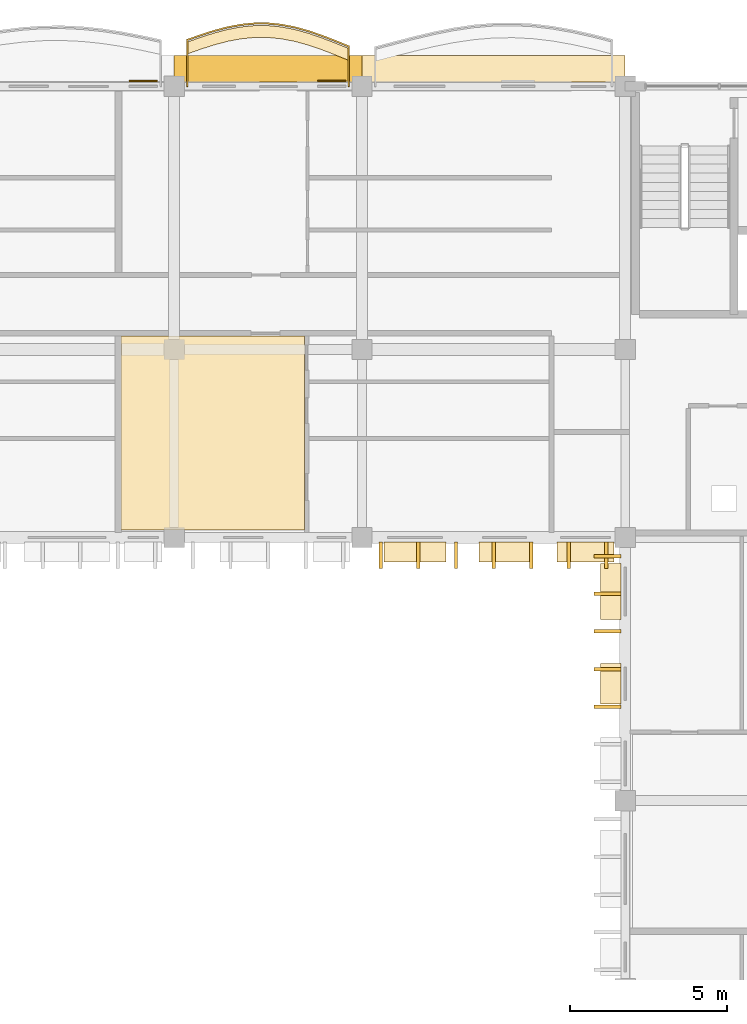
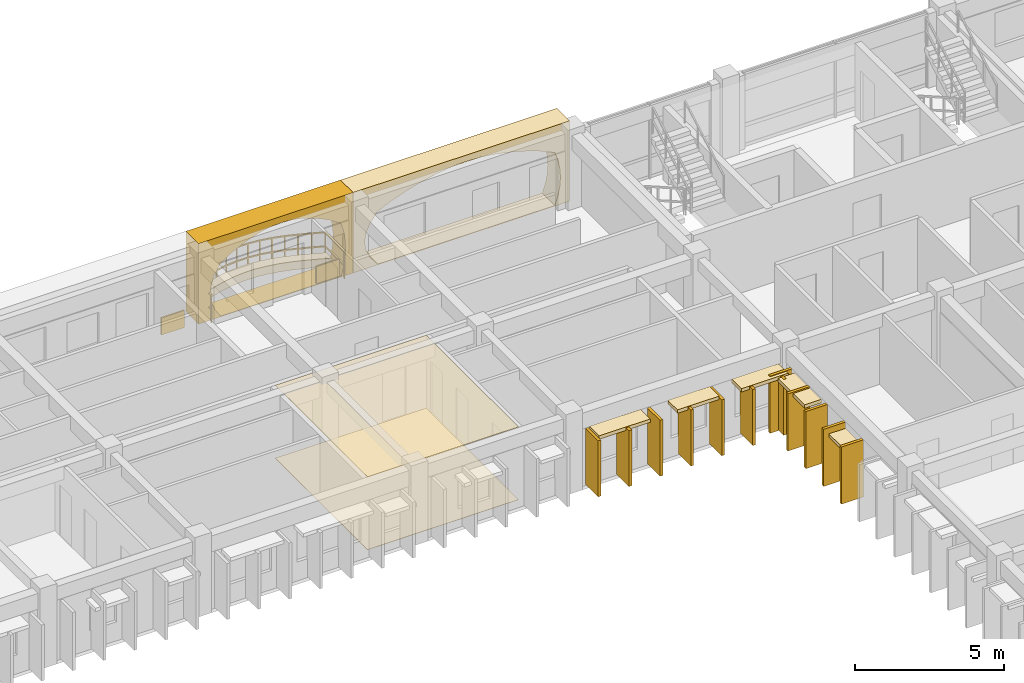
# One storey, part 63 of 66: 24 coverings, 1 railing.
"""IFC4 building model written with IfcOpenShell, lengths in metres."""

import ifcopenshell
import ifcopenshell.guid

model = None  # the IFC model being written
_history = None  # IfcOwnerHistory: only IFC2X3 demands one
_inside = {}  # id of a spatial element -> (the spatial element, [elements in it])
_under = {}  # id of a project, library or spatial element -> (it, [spatial elements below it])
_declared = {}  # id of a project -> (the project, [libraries it declares])
_typed = {}  # id of a type object -> (the type object, [elements of that type])
_made_of = {}  # id of a material, layer set ... -> (it, [elements and type objects made of it])


def new_model(schema):
    """Start an empty IFC model of exactly this schema.

    Asked for "IFC4X3", IfcOpenShell would pick the latest addendum, in which some entities
    have other attributes; the version numbers below select the first issue.
    IFC2X3 requires an IfcOwnerHistory on every rooted entity: one is made here for all.
    """
    global model, _history
    if schema == "IFC4X3":
        model = ifcopenshell.file(schema_version=(4, 3, 0, 0))
    else:
        model = ifcopenshell.file(schema=schema)
    _inside.clear()
    _under.clear()
    _declared.clear()
    _typed.clear()
    _made_of.clear()
    _history = None
    if model.schema == "IFC2X3":
        org = make("IfcOrganization", Name="unknown")
        user = make(
            "IfcPersonAndOrganization",
            ThePerson=make("IfcPerson", FamilyName="unknown"),
            TheOrganization=org,
        )
        app = make(
            "IfcApplication",
            ApplicationDeveloper=org,
            Version="unknown",
            ApplicationFullName="unknown",
            ApplicationIdentifier="unknown",
        )
        _history = make(
            "IfcOwnerHistory",
            OwningUser=user,
            OwningApplication=app,
            ChangeAction="ADDED",
            CreationDate=0,
        )
    return model


def make(cls, **values):
    """One entity of the class cls with the attributes given. An attribute that is None is left unset."""
    return model.create_entity(
        cls, **{name: value for name, value in values.items() if value is not None}
    )


def rooted(cls, **values):
    """An entity with a GlobalId (a new one), such as an element, a storey or a relation."""
    return make(cls, GlobalId=ifcopenshell.guid.new(), OwnerHistory=_history, **values)


def si_unit(unit_type, name, prefix=None):
    """IfcSIUnit, for example si_unit("LENGTHUNIT", "METRE", prefix="MILLI")."""
    return make("IfcSIUnit", UnitType=unit_type, Prefix=prefix, Name=name)


def assignment(units):
    """IfcUnitAssignment: the units of a project."""
    return None if units is None else make("IfcUnitAssignment", Units=units)


def point(xyz):
    """IfcCartesianPoint."""
    return None if xyz is None else make("IfcCartesianPoint", Coordinates=xyz)


def direction(xyz):
    """IfcDirection."""
    return None if xyz is None else make("IfcDirection", DirectionRatios=xyz)


def frame(location, z_axis=None, x_axis=None):
    """IfcAxis2Placement3D, a coordinate frame: its origin and axes. An axis left out is left unset."""
    return make(
        "IfcAxis2Placement3D",
        Location=point(location),
        Axis=direction(z_axis),
        RefDirection=direction(x_axis),
    )


def frame_2d(location, x_axis=None):
    """IfcAxis2Placement2D, a coordinate frame in the plane: its origin and x axis."""
    return make(
        "IfcAxis2Placement2D", Location=point(location), RefDirection=direction(x_axis)
    )


def origin():
    """The frame at (0, 0, 0) with its axes left unset."""
    return frame((0.0, 0.0, 0.0))


def origin_2d():
    """The frame at (0, 0) in the plane with its x axis left unset."""
    return frame_2d((0.0, 0.0))


def place(relative_to, where):
    """IfcLocalPlacement: puts the frame where relative to a parent placement (None: the world)."""
    return make(
        "IfcLocalPlacement", PlacementRelTo=relative_to, RelativePlacement=where
    )


def context(
    kind, dimensions, precision=None, world=None, true_north=None, identifier=None
):
    """IfcGeometricRepresentationContext, for example the 3D "Model" context."""
    return make(
        "IfcGeometricRepresentationContext",
        ContextIdentifier=identifier,
        ContextType=kind,
        CoordinateSpaceDimension=dimensions,
        Precision=precision,
        WorldCoordinateSystem=world,
        TrueNorth=true_north,
    )


def subcontext(parent, identifier, kind, view, scale=None):
    """IfcGeometricRepresentationSubContext, for example "Body" below "Model"."""
    return make(
        "IfcGeometricRepresentationSubContext",
        ContextIdentifier=identifier,
        ContextType=kind,
        ParentContext=parent,
        TargetScale=scale,
        TargetView=view,
    )


def project(units=None, contexts=None):
    """IfcProject with its units and contexts."""
    return rooted(
        "IfcProject",
        Name="project",
        RepresentationContexts=contexts,
        UnitsInContext=assignment(units),
    )


def spatial(cls, under=None, at=None, **own):
    """A site, building, storey or space (cls), placed at a placement, below another one or the project."""
    s = rooted(cls, ObjectPlacement=at, **own)
    if under is not None:
        _under.setdefault(under.id(), (under, []))[1].append(s)
    return s


def polyline(points):
    """IfcPolyline through the points."""
    return make("IfcPolyline", Points=[point(p) for p in points])


def profile(cls, at=None, kind="AREA", **sizes):
    """A parametric profile (cls). Its sizes go by their IFC names, for example OverallWidth=200.0."""
    return make(cls, ProfileType=kind, Position=at, **sizes)


def rectangle(**sizes):
    """IfcRectangleProfileDef."""
    return profile("IfcRectangleProfileDef", **sizes)


def outline(outer, holes=None, kind="AREA"):
    """IfcArbitraryClosedProfileDef: a profile drawn as a closed curve; with holes, ...WithVoids."""
    if holes is None:
        return make("IfcArbitraryClosedProfileDef", ProfileType=kind, OuterCurve=outer)
    return make(
        "IfcArbitraryProfileDefWithVoids",
        ProfileType=kind,
        OuterCurve=outer,
        InnerCurves=holes,
    )


def extrude(swept, where, along, depth):
    """IfcExtrudedAreaSolid: the profile swept, set in the frame where, extruded along a direction by depth."""
    return make(
        "IfcExtrudedAreaSolid",
        SweptArea=swept,
        Position=where,
        ExtrudedDirection=direction(along),
        Depth=depth,
    )


def shape(context_of_items, identifier, shape_type, items):
    """IfcShapeRepresentation: the items that make up one representation, for example the "Body"."""
    return make(
        "IfcShapeRepresentation",
        ContextOfItems=context_of_items,
        RepresentationIdentifier=identifier,
        RepresentationType=shape_type,
        Items=items,
    )


def material(Name=None, Category=None):
    """IfcMaterial."""
    return make("IfcMaterial", Name=Name, Category=Category)


def layer(
    of_material, thickness, ventilated=None, Name=None, Category=None, Priority=None
):
    """IfcMaterialLayer: one layer of a wall or slab, of a material (None: an air gap)."""
    return make(
        "IfcMaterialLayer",
        Material=of_material,
        LayerThickness=thickness,
        IsVentilated=ventilated,
        Name=Name,
        Category=Category,
        Priority=Priority,
    )


def layer_set(layers, Name=None):
    """IfcMaterialLayerSet."""
    return make("IfcMaterialLayerSet", MaterialLayers=layers, LayerSetName=Name)


def made_of(thing, what):
    """Note that an element or type object is made of a material, layer set ...; save() writes the relation."""
    if what is not None:
        _made_of.setdefault(what.id(), (what, []))[1].append(thing)
    return thing


def type_object(cls, material=None, **own):
    """A type object (cls), such as IfcWallType, which elements share."""
    return made_of(rooted(cls, **own), material)


def element(
    cls,
    number,
    at=None,
    inside=None,
    cuts=None,
    type_object=None,
    material=None,
    context=None,
    identifier="Body",
    shape_type=None,
    held_by="IfcProductDefinitionShape",
    body=None,
    shapes=None,
    **own,
):
    """One element of the class cls, such as IfcWall. Its Tag is "e" and its number.

    at: its placement. inside: the storey or other place that contains it. cuts: it is an
    opening in that element (IfcRelVoidsElement). A single representation is given by context,
    identifier, shape_type and body (its items); several are given by shapes. held_by: the class
    of the entity that holds the representations. save() writes the other relations.
    """
    e = rooted(cls, Tag="e%d" % number, ObjectPlacement=at, **own)
    if body is not None:
        shapes = [shape(context, identifier, shape_type, body)]
    if shapes is not None:
        e.Representation = make(held_by, Representations=shapes)
    if inside is not None:
        _inside.setdefault(inside.id(), (inside, []))[1].append(e)
    if cuts is not None:
        rooted(
            "IfcRelVoidsElement", RelatingBuildingElement=cuts, RelatedOpeningElement=e
        )
    if type_object is not None:
        _typed.setdefault(type_object.id(), (type_object, []))[1].append(e)
    return made_of(e, material)


def aggregate(whole, parts):
    """IfcRelAggregates: a whole, such as a stair, and the parts it consists of."""
    return rooted("IfcRelAggregates", RelatingObject=whole, RelatedObjects=parts)


def save(model, path):
    """Write the relations noted so far, then the file.

    IfcRelAggregates (storeys below a building ...), IfcRelContainedInSpatialStructure (elements
    in a storey), IfcRelDefinesByType, IfcRelAssociatesMaterial and IfcRelDeclares: one each for
    every whole, place, type object, material and project.
    """
    for whole, parts in _under.values():
        aggregate(whole, parts)
    for where, things in _inside.values():
        rooted(
            "IfcRelContainedInSpatialStructure",
            RelatedElements=things,
            RelatingStructure=where,
        )
    for kind, things in _typed.values():
        rooted("IfcRelDefinesByType", RelatedObjects=things, RelatingType=kind)
    for what, things in _made_of.values():
        rooted("IfcRelAssociatesMaterial", RelatedObjects=things, RelatingMaterial=what)
    for by, libraries in _declared.values():
        rooted("IfcRelDeclares", RelatingContext=by, RelatedDefinitions=libraries)
    model.write(path)


model = new_model("IFC4")

# Units and contexts
model_context = context("Model", 3, precision=1e-05, world=origin(), true_north=direction((0.0, 1.0)))
body_context = subcontext(model_context, "Body", "Model", "MODEL_VIEW")
ifc_project = project(units=[si_unit("LENGTHUNIT", "METRE"), si_unit("AREAUNIT", "SQUARE_METRE"), si_unit("VOLUMEUNIT", "CUBIC_METRE"), si_unit("PLANEANGLEUNIT", "RADIAN"), si_unit("MASSUNIT", "GRAM", prefix="KILO"), si_unit("THERMODYNAMICTEMPERATUREUNIT", "KELVIN")], contexts=[model_context])

# Site, building, storey
site_placement = place(None, origin())
site = spatial("IfcSite", under=ifc_project, at=site_placement, CompositionType="ELEMENT")
building_placement = place(site_placement, origin())
building = spatial("IfcBuilding", under=site, at=building_placement, Name="Thalorik Housing Commons", CompositionType="ELEMENT")
storey_placement = place(building_placement, frame((0.0, 0.0, 21.300048828125)))
storey = spatial("IfcBuildingStorey", under=building, at=storey_placement, Name="L06", CompositionType="ELEMENT", Elevation=21.300048828125)

# Coverings
ifc_material_1 = material(Name="Cobalt blue glazed ceramic facade tile panel", Category="masonry")
ifc_layer_1 = layer(ifc_material_1, 0.06005859375, Name="Cobalt blue glazed ceramic facade tile panel", Category="masonry")
ifc_layer_set_1 = layer_set([ifc_layer_1], Name="Cobalt blue glazed ceramic facade tile panel")
covering_type_1 = type_object("IfcCoveringType", Name="ARC-CLD-BLU-60", PredefinedType="CLADDING", material=ifc_layer_set_1)
covering_1_placement = place(storey_placement, frame((137.014892578125, 123.7724609375, 0.0498046875), z_axis=(0.0, 0.0, 1.0), x_axis=(-1.0, 0.0, 0.0)))
element("IfcCovering", 1, at=covering_1_placement, inside=storey, type_object=covering_type_1, Name="L06 De Stijl Recessed Window Spandrel 2373", PredefinedType="CLADDING", context=body_context, shape_type="SweptSolid", body=[
    extrude(rectangle(XDim=0.89990234375, YDim=0.06005859375, at=origin_2d()), origin(), (0.0, 0.0, 1.0), 0.699951171875),
])
ifc_material_2 = material(Name="Precast concrete C40/50", Category="concrete")
ifc_layer_2 = layer(ifc_material_2, 0.85009765625, Name="Precast concrete C40/50", Category="concrete")
ifc_layer_set_2 = layer_set([ifc_layer_2], Name="Precast concrete C40/50")
covering_type_2 = type_object("IfcCoveringType", Name="ARC-CLD-CUSH-850", PredefinedType="CLADDING", material=ifc_layer_set_2)
covering_2_placement = place(storey_placement, frame((148.199951171875, 124.16259765625, 0.0), z_axis=(0.0, 0.0, 1.0), x_axis=(-1.0, 0.0, 0.0)))
element("IfcCovering", 2, at=covering_2_placement, inside=storey, type_object=covering_type_2, Name="L06 White Precast Curved Cushion Bay Frame 2368", PredefinedType="CLADDING", context=body_context, shape_type="SweptSolid", body=[
    extrude(outline(polyline([(-4.199951171875, 0.0), (4.199951171875, 0.0), (4.199951171875, 3.300048828125), (-4.199951171875, 3.300048828125), (-4.199951171875, 0.0)]), holes=[polyline([(3.239990234375, 0.02490234375), (3.523193359375, 0.387451171875), (3.693359375, 0.75), (3.75, 1.112548828125), (3.693359375, 1.47509765625), (3.523193359375, 1.83740234375), (3.239990234375, 2.199951171875), (2.66748046875, 2.455810546875), (2.094970703125, 2.656494140625), (1.5224609375, 2.819091796875), (0.949951171875, 2.940185546875), (0.37744140625, 3.014892578125), (-0.195068359375, 3.0400390625), (-0.767578125, 3.014892578125), (-1.340087890625, 2.940185546875), (-1.91259765625, 2.819091796875), (-2.485107421875, 2.656494140625), (-3.0576171875, 2.455810546875), (-3.6298828125, 2.199951171875), (-3.750244140625, 1.83740234375), (-3.822509765625, 1.47509765625), (-3.8466796875, 1.112548828125), (-3.822509765625, 0.75), (-3.750244140625, 0.387451171875), (-3.6298828125, 0.02490234375), (3.239990234375, 0.02490234375)])]), frame((0.0, 0.425048828125, 0.0), z_axis=(0.0, -1.0, 0.0), x_axis=(1.0, 0.0, 0.0)), (0.0, 0.0, 1.0), 0.85009765625),
])
covering_3_placement = place(storey_placement, frame((141.0, 124.16259765625, 0.0), z_axis=(0.0, 0.0, 1.0), x_axis=(-1.0, 0.0, 0.0)))
element("IfcCovering", 3, at=covering_3_placement, inside=storey, type_object=covering_type_2, Name="L06 White Precast Curved Cushion Bay Frame 2370", PredefinedType="CLADDING", context=body_context, shape_type="SweptSolid", body=[
    extrude(outline(polyline([(-3.0, 0.0), (3.0, 0.0), (3.0, 3.300048828125), (-3.0, 3.300048828125), (-3.0, 0.0)]), holes=[polyline([(2.140869140625, 0.02490234375), (2.3681640625, 0.387451171875), (2.50439453125, 0.75), (2.550048828125, 1.112548828125), (2.50439453125, 1.47509765625), (2.3681640625, 1.83740234375), (2.140869140625, 2.199951171875), (1.751220703125, 2.455810546875), (1.361572265625, 2.656494140625), (0.971923828125, 2.819091796875), (0.58251953125, 2.940185546875), (0.19287109375, 3.014892578125), (-0.19677734375, 3.0400390625), (-0.586181640625, 3.014892578125), (-0.975830078125, 2.940185546875), (-1.365478515625, 2.819091796875), (-1.7548828125, 2.656494140625), (-2.14453125, 2.455810546875), (-2.5341796875, 2.199951171875), (-2.632568359375, 1.83740234375), (-2.69140625, 1.47509765625), (-2.711181640625, 1.112548828125), (-2.69140625, 0.75), (-2.632568359375, 0.387451171875), (-2.5341796875, 0.02490234375), (2.140869140625, 0.02490234375)])]), frame((0.0, 0.425048828125, 0.0), z_axis=(0.0, -1.0, 0.0), x_axis=(1.0, 0.0, 0.0)), (0.0, 0.0, 1.0), 0.85009765625),
])
ifc_layer_3 = layer(ifc_material_2, 0.85009765625, Name="Precast concrete C40/50", Category="concrete")
ifc_layer_set_3 = layer_set([ifc_layer_3], Name="Precast concrete C40/50")
covering_type_3 = type_object("IfcCoveringType", Name="ARC-CLD-FIN-850", PredefinedType="CLADDING", material=ifc_layer_set_3)
for number, where, z_axis, x_axis, name in (
    (4, (144.60009765625, 108.637451171875, 0.0400390625), (0.0, 0.0, 1.0), (1.0, 0.0, 0.0), "L06 Courtyard Precast Vertical Brise-Soleil Fin 2478"),
    (5, (145.800048828125, 108.637451171875, 0.0400390625), (0.0, 0.0, 1.0), (1.0, 0.0, 0.0), "L06 Courtyard Precast Vertical Brise-Soleil Fin 2479"),
    (6, (147.0, 108.637451171875, 0.0400390625), (0.0, 0.0, 1.0), (1.0, 0.0, 0.0), "L06 Courtyard Precast Vertical Brise-Soleil Fin 2480"),
    (7, (148.199951171875, 108.637451171875, 0.0400390625), (0.0, 0.0, 1.0), (1.0, 0.0, 0.0), "L06 Courtyard Precast Vertical Brise-Soleil Fin 2481"),
    (8, (149.39990234375, 108.637451171875, 0.0400390625), (0.0, 0.0, 1.0), (1.0, 0.0, 0.0), "L06 Courtyard Precast Vertical Brise-Soleil Fin 2482"),
    (9, (150.60009765625, 108.637451171875, 0.0400390625), (0.0, 0.0, 1.0), (1.0, 0.0, 0.0), "L06 Courtyard Precast Vertical Brise-Soleil Fin 2483"),
    (10, (151.800048828125, 108.637451171875, 0.0400390625), (0.0, 0.0, 1.0), (1.0, 0.0, 0.0), "L06 Courtyard Precast Vertical Brise-Soleil Fin 2484"),
):
    element("IfcCovering", number, at=place(storey_placement, frame(where, z_axis=z_axis, x_axis=x_axis)), inside=storey, type_object=covering_type_3, Name=name, PredefinedType="CLADDING", context=body_context, shape_type="SweptSolid", body=[
        extrude(rectangle(XDim=0.110107421875, YDim=0.85009765625, at=origin_2d()), origin(), (0.0, 0.0, 1.0), 2.294921875),
    ])
for number, where, z_axis, x_axis, name in (
    (11, (151.83740234375, 108.60009765625, 0.0400390625), (0.0, 0.0, 1.0), (0.0, -1.0, 0.0), "L06 Courtyard Precast Vertical Brise-Soleil Fin 2488"),
    (12, (151.83740234375, 107.39990234375, 0.0400390625), (0.0, 0.0, 1.0), (0.0, -1.0, 0.0), "L06 Courtyard Precast Vertical Brise-Soleil Fin 2489"),
    (13, (151.83740234375, 106.199951171875, 0.0400390625), (0.0, 0.0, 1.0), (0.0, -1.0, 0.0), "L06 Courtyard Precast Vertical Brise-Soleil Fin 2490"),
    (14, (151.83740234375, 105.0, 0.0400390625), (0.0, 0.0, 1.0), (0.0, -1.0, 0.0), "L06 Courtyard Precast Vertical Brise-Soleil Fin 2491"),
    (15, (151.83740234375, 103.800048828125, 0.0400390625), (0.0, 0.0, 1.0), (0.0, -1.0, 0.0), "L06 Courtyard Precast Vertical Brise-Soleil Fin 2492"),
):
    element("IfcCovering", number, at=place(storey_placement, frame(where, z_axis=z_axis, x_axis=x_axis)), inside=storey, type_object=covering_type_3, Name=name, PredefinedType="CLADDING", context=body_context, shape_type="SweptSolid", body=[
        extrude(rectangle(XDim=0.110107421875, YDim=0.85009765625, at=origin_2d()), origin(), (0.0, 0.0, 1.0), 2.344970703125),
    ])
ifc_layer_4 = layer(ifc_material_2, 0.64990234375, Name="Precast concrete C40/50", Category="concrete")
ifc_layer_set_4 = layer_set([ifc_layer_4], Name="Precast concrete C40/50")
covering_type_4 = type_object("IfcCoveringType", Name="ARC-CLD-HOOD-650", PredefinedType="CLADDING", material=ifc_layer_set_4)
covering_4_placement = place(storey_placement, frame((145.68994140625, 108.737548828125, 2.22509765625), z_axis=(0.0, 0.0, 1.0), x_axis=(1.0, 0.0, 0.0)))
element("IfcCovering", 16, at=covering_4_placement, inside=storey, type_object=covering_type_4, Name="L06 Courtyard Precast Window Sun-Hood 2485", PredefinedType="CLADDING", context=body_context, shape_type="SweptSolid", body=[
    extrude(rectangle(XDim=1.989990234375, YDim=0.64990234375, at=origin_2d()), origin(), (0.0, 0.0, 1.0), 0.139892578125),
])
covering_5_placement = place(storey_placement, frame((148.550048828125, 108.737548828125, 2.22509765625), z_axis=(0.0, 0.0, 1.0), x_axis=(1.0, 0.0, 0.0)))
element("IfcCovering", 17, at=covering_5_placement, inside=storey, type_object=covering_type_4, Name="L06 Courtyard Precast Window Sun-Hood 2486", PredefinedType="CLADDING", context=body_context, shape_type="SweptSolid", body=[
    extrude(rectangle(XDim=1.6201171875, YDim=0.64990234375, at=origin_2d()), origin(), (0.0, 0.0, 1.0), 0.139892578125),
])
covering_6_placement = place(storey_placement, frame((151.1298828125, 108.737548828125, 2.22509765625), z_axis=(0.0, 0.0, 1.0), x_axis=(1.0, 0.0, 0.0)))
element("IfcCovering", 18, at=covering_6_placement, inside=storey, type_object=covering_type_4, Name="L06 Courtyard Precast Window Sun-Hood 2487", PredefinedType="CLADDING", context=body_context, shape_type="SweptSolid", body=[
    extrude(rectangle(XDim=1.820068359375, YDim=0.64990234375, at=origin_2d()), origin(), (0.0, 0.0, 1.0), 0.139892578125),
])
covering_7_placement = place(storey_placement, frame((151.9375, 107.46875, 2.18994140625), z_axis=(0.0, 0.0, 1.0), x_axis=(0.0, -1.0, 0.0)))
element("IfcCovering", 19, at=covering_7_placement, inside=storey, type_object=covering_type_4, Name="L06 Courtyard Precast Window Sun-Hood 2495", PredefinedType="CLADDING", context=body_context, shape_type="SweptSolid", body=[
    extrude(rectangle(XDim=1.7900390625, YDim=0.64990234375, at=origin_2d()), origin(), (0.0, 0.0, 1.0), 0.139892578125),
])
covering_8_placement = place(storey_placement, frame((151.9375, 104.5263671875, 1.990234375), z_axis=(0.0, 0.0, 1.0), x_axis=(0.0, -1.0, 0.0)))
element("IfcCovering", 20, at=covering_8_placement, inside=storey, type_object=covering_type_4, Name="L06 Courtyard Precast Window Sun-Hood 2496", PredefinedType="CLADDING", context=body_context, shape_type="SweptSolid", body=[
    extrude(rectangle(XDim=1.2900390625, YDim=0.64990234375, at=origin_2d()), origin(), (0.0, 0.0, 1.0), 0.139892578125),
])
ifc_material_3 = material(Name="Terracotta red mineral fibre-cement panel", Category="masonry")
ifc_layer_5 = layer(ifc_material_3, 0.054931640625, Name="Terracotta red mineral fibre-cement panel", Category="masonry")
ifc_layer_set_5 = layer_set([ifc_layer_5], Name="Terracotta red mineral fibre-cement panel")
covering_type_5 = type_object("IfcCoveringType", Name="ARC-CLD-RED-55", PredefinedType="CLADDING", material=ifc_layer_set_5)
covering_9_placement = place(storey_placement, frame((143.0341796875, 123.77001953125, 0.0498046875), z_axis=(0.0, 0.0, 1.0), x_axis=(-1.0, 0.0, 0.0)))
element("IfcCovering", 21, at=covering_9_placement, inside=storey, type_object=covering_type_5, Name="L06 De Stijl Recessed Window Spandrel 2371", PredefinedType="CLADDING", context=body_context, shape_type="SweptSolid", body=[
    extrude(rectangle(XDim=0.89990234375, YDim=0.054931640625, at=origin_2d()), origin(), (0.0, 0.0, 1.0), 0.699951171875),
])
ifc_material_4 = material(Name="Perforated acoustic gypsum ceiling board")
ifc_layer_6 = layer(ifc_material_4, 0.014892578125, Name="Perforated acoustic gypsum ceiling board")
ifc_layer_set_6 = layer_set([ifc_layer_6], Name="Perforated acoustic gypsum ceiling board")
covering_type_6 = type_object("IfcCoveringType", Name="ARC-COV-CEIL-01", PredefinedType="CEILING", material=ifc_layer_set_6)
covering_10_placement = place(storey_placement, frame((0.0, 0.0, 2.98486328125)))
element("IfcCovering", 22, at=covering_10_placement, inside=storey, type_object=covering_type_6, Name="L06 Living Dining Room Suspended Ceiling", PredefinedType="CEILING", context=body_context, shape_type="SweptSolid", body=[
    extrude(outline(polyline([(142.1650390625, 109.43994140625), (142.1650390625, 115.639892578125), (136.300048828125, 115.639892578125), (136.300048828125, 109.43994140625), (142.1650390625, 109.43994140625)])), origin(), (0.0, 0.0, 1.0), 0.01513671875),
])
ifc_material_5 = material(Name="Glazed Recife ceramic apartment floor tile")
ifc_layer_7 = layer(ifc_material_5, 0.011962890625, Name="Glazed Recife ceramic apartment floor tile")
ifc_layer_set_7 = layer_set([ifc_layer_7], Name="Glazed Recife ceramic apartment floor tile")
covering_type_7 = type_object("IfcCoveringType", Name="ARC-COV-FLR-01", PredefinedType="FLOORING", material=ifc_layer_set_7)
covering_11_placement = place(storey_placement, origin())
element("IfcCovering", 23, at=covering_11_placement, inside=storey, type_object=covering_type_7, Name="L06 Living Dining Room Flooring", PredefinedType="FLOORING", context=body_context, shape_type="SweptSolid", body=[
    extrude(outline(polyline([(142.1650390625, 109.43994140625), (142.1650390625, 115.639892578125), (136.300048828125, 115.639892578125), (136.300048828125, 109.43994140625), (142.1650390625, 109.43994140625)])), origin(), (0.0, 0.0, 1.0), 0.011962890625),
])
ifc_material_6 = material(Name="Planted vegetated substrate and terracotta trough", Category="masonry")
ifc_layer_8 = layer(ifc_material_6, 0.340087890625, Name="Planted vegetated substrate and terracotta trough", Category="masonry")
ifc_layer_set_8 = layer_set([ifc_layer_8], Name="Planted vegetated substrate and terracotta trough")
covering_type_8 = type_object("IfcCoveringType", Name="ARC-COV-PLANTER", PredefinedType="USERDEFINED", material=ifc_layer_set_8)
covering_12_placement = place(storey_placement, origin())
element("IfcCovering", 24, at=covering_12_placement, inside=storey, type_object=covering_type_8, Name="L06 Balcony Slab-Edge Planted Trough 5493", ObjectType="PLANTER", PredefinedType="USERDEFINED", context=body_context, shape_type="SweptSolid", body=[
    extrude(outline(polyline([(143.580078125, 124.80859375), (143.14990234375, 124.98291015625), (142.719970703125, 125.149169921875), (142.2900390625, 125.29638671875), (141.860107421875, 125.41552734375), (141.429931640625, 125.4990234375), (141.0, 125.541748046875), (140.570068359375, 125.541748046875), (140.139892578125, 125.499755859375), (139.7099609375, 125.419189453125), (139.280029296875, 125.305908203125), (138.85009765625, 125.168212890625), (138.419921875, 125.01611328125), (138.419921875, 124.635986328125), (138.85009765625, 124.788330078125), (139.280029296875, 124.92578125), (139.7099609375, 125.0390625), (140.139892578125, 125.119873046875), (140.570068359375, 125.161865234375), (141.0, 125.161865234375), (141.429931640625, 125.118896484375), (141.860107421875, 125.035400390625), (142.2900390625, 124.91650390625), (142.719970703125, 124.76904296875), (143.14990234375, 124.602783203125), (143.580078125, 124.428466796875), (143.580078125, 124.80859375)])), origin(), (0.0, 0.0, 1.0), 0.33984375),
])

# Railing
ifc_material_7 = material(Name="Steel S355", Category="steel")
railing_type = type_object("IfcRailingType", Name="ARC-RL-BAL-115", PredefinedType="BALUSTRADE", material=ifc_material_7)
railing_placement = place(storey_placement, frame((143.580078125, 123.60009765625, 0.0)))
element("IfcRailing", 25, at=railing_placement, inside=storey, type_object=railing_type, Name="L06 Cushion Balcony Guardrail 177", PredefinedType="BALUSTRADE", context=body_context, shape_type="SweptSolid", body=[
    extrude(rectangle(XDim=0.050048828125, YDim=0.050048828125, at=origin_2d()), frame((0.0, 0.0, 1.125), z_axis=(0.0, 1.0, 0.0), x_axis=(-1.0, 0.0, 0.0)), (0.0, 0.0, 1.0), 1.2783203125),
    extrude(rectangle(XDim=0.050048828125, YDim=0.050048828125, at=origin_2d()), frame((0.0, 0.0, 0.5498046875), z_axis=(0.0, 1.0, 0.0), x_axis=(-1.0, 0.0, 0.0)), (0.0, 0.0, 1.0), 1.2783203125),
    extrude(rectangle(XDim=0.050048828125, YDim=0.050048828125, at=origin_2d()), frame((0.0, 1.2783203125, 1.125), z_axis=(-0.926615498918, 0.376010262047, 0.0), x_axis=(-0.376010262047, -0.926615498918, 0.0)), (0.0, 0.0, 1.0), 0.46435546875),
    extrude(rectangle(XDim=0.050048828125, YDim=0.050048828125, at=origin_2d()), frame((0.0, 1.2783203125, 0.5498046875), z_axis=(-0.926615498918, 0.376010262047, 0.0), x_axis=(-0.376010262047, -0.926615498918, 0.0)), (0.0, 0.0, 1.0), 0.46435546875),
    extrude(rectangle(XDim=0.050048828125, YDim=0.050048828125, at=origin_2d()), frame((-0.43017578125, 1.452880859375, 1.125), z_axis=(-0.9328669237, 0.360221185756, 0.0), x_axis=(-0.360221185756, -0.9328669237, 0.0)), (0.0, 0.0, 1.0), 0.4609375),
    extrude(rectangle(XDim=0.050048828125, YDim=0.050048828125, at=origin_2d()), frame((-0.43017578125, 1.452880859375, 0.5498046875), z_axis=(-0.9328669237, 0.360221185756, 0.0), x_axis=(-0.360221185756, -0.9328669237, 0.0)), (0.0, 0.0, 1.0), 0.4609375),
    extrude(rectangle(XDim=0.050048828125, YDim=0.050048828125, at=origin_2d()), frame((-0.860107421875, 1.618896484375, 1.125), z_axis=(-0.945908272877, 0.324434183315, 0.0), x_axis=(-0.324434183315, -0.945908272877, 0.0)), (0.0, 0.0, 1.0), 0.45458984375),
    extrude(rectangle(XDim=0.050048828125, YDim=0.050048828125, at=origin_2d()), frame((-0.860107421875, 1.618896484375, 0.5498046875), z_axis=(-0.945908272877, 0.324434183315, 0.0), x_axis=(-0.324434183315, -0.945908272877, 0.0)), (0.0, 0.0, 1.0), 0.45458984375),
    extrude(rectangle(XDim=0.050048828125, YDim=0.050048828125, at=origin_2d()), frame((-1.2900390625, 1.766357421875, 1.125), z_axis=(-0.963682368492, 0.267051104954, 0.0), x_axis=(-0.267051104954, -0.963682368492, 0.0)), (0.0, 0.0, 1.0), 0.446044921875),
    extrude(rectangle(XDim=0.050048828125, YDim=0.050048828125, at=origin_2d()), frame((-1.2900390625, 1.766357421875, 0.5498046875), z_axis=(-0.963682368492, 0.267051104954, 0.0), x_axis=(-0.267051104954, -0.963682368492, 0.0)), (0.0, 0.0, 1.0), 0.446044921875),
    extrude(rectangle(XDim=0.050048828125, YDim=0.050048828125, at=origin_2d()), frame((-1.719970703125, 1.885498046875, 1.125), z_axis=(-0.981679126239, 0.190541578419, 0.0), x_axis=(-0.190541578419, -0.981679126239, 0.0)), (0.0, 0.0, 1.0), 0.438232421875),
    extrude(rectangle(XDim=0.050048828125, YDim=0.050048828125, at=origin_2d()), frame((-1.719970703125, 1.885498046875, 0.5498046875), z_axis=(-0.981679126239, 0.190541578419, 0.0), x_axis=(-0.190541578419, -0.981679126239, 0.0)), (0.0, 0.0, 1.0), 0.438232421875),
    extrude(rectangle(XDim=0.050048828125, YDim=0.050048828125, at=origin_2d()), frame((-2.150146484375, 1.968994140625, 1.125), z_axis=(-0.995098542801, 0.098888270863, 0.0), x_axis=(-0.098888270863, -0.995098542801, 0.0)), (0.0, 0.0, 1.0), 0.43212890625),
    extrude(rectangle(XDim=0.050048828125, YDim=0.050048828125, at=origin_2d()), frame((-2.150146484375, 1.968994140625, 0.5498046875), z_axis=(-0.995098542801, 0.098888270863, 0.0), x_axis=(-0.098888270863, -0.995098542801, 0.0)), (0.0, 0.0, 1.0), 0.43212890625),
    extrude(rectangle(XDim=0.050048828125, YDim=0.050048828125, at=origin_2d()), frame((-2.580078125, 2.01171875, 1.125), z_axis=(-1.0, 0.0, 0.0), x_axis=(0.0, -1.0, 0.0)), (0.0, 0.0, 1.0), 0.429931640625),
    extrude(rectangle(XDim=0.050048828125, YDim=0.050048828125, at=origin_2d()), frame((-2.580078125, 2.01171875, 0.5498046875), z_axis=(-1.0, 0.0, 0.0), x_axis=(0.0, -1.0, 0.0)), (0.0, 0.0, 1.0), 0.429931640625),
    extrude(rectangle(XDim=0.050048828125, YDim=0.050048828125, at=origin_2d()), frame((-3.010009765625, 2.01171875, 1.125), z_axis=(-0.995269306776, -0.09715455208, 0.0), x_axis=(0.09715455208, -0.995269306776, 0.0)), (0.0, 0.0, 1.0), 0.43212890625),
    extrude(rectangle(XDim=0.050048828125, YDim=0.050048828125, at=origin_2d()), frame((-3.010009765625, 2.01171875, 0.5498046875), z_axis=(-0.995269306776, -0.09715455208, 0.0), x_axis=(0.09715455208, -0.995269306776, 0.0)), (0.0, 0.0, 1.0), 0.43212890625),
    extrude(rectangle(XDim=0.050048828125, YDim=0.050048828125, at=origin_2d()), frame((-3.440185546875, 1.9697265625, 1.125), z_axis=(-0.982789955867, -0.184726561835, 0.0), x_axis=(0.184726561835, -0.982789955867, 0.0)), (0.0, 0.0, 1.0), 0.4375),
    extrude(rectangle(XDim=0.050048828125, YDim=0.050048828125, at=origin_2d()), frame((-3.440185546875, 1.9697265625, 0.5498046875), z_axis=(-0.982789955867, -0.184726561835, 0.0), x_axis=(0.184726561835, -0.982789955867, 0.0)), (0.0, 0.0, 1.0), 0.4375),
    extrude(rectangle(XDim=0.050048828125, YDim=0.050048828125, at=origin_2d()), frame((-3.8701171875, 1.888916015625, 1.125), z_axis=(-0.967131424423, -0.254277029817, 0.0), x_axis=(0.254277029817, -0.967131424423, 0.0)), (0.0, 0.0, 1.0), 0.444580078125),
    extrude(rectangle(XDim=0.050048828125, YDim=0.050048828125, at=origin_2d()), frame((-3.8701171875, 1.888916015625, 0.5498046875), z_axis=(-0.967131424423, -0.254277029817, 0.0), x_axis=(0.254277029817, -0.967131424423, 0.0)), (0.0, 0.0, 1.0), 0.444580078125),
    extrude(rectangle(XDim=0.050048828125, YDim=0.050048828125, at=origin_2d()), frame((-4.300048828125, 1.77587890625, 1.125), z_axis=(-0.95234876715, -0.305011189479, 0.0), x_axis=(0.305011189479, -0.95234876715, 0.0)), (0.0, 0.0, 1.0), 0.451416015625),
    extrude(rectangle(XDim=0.050048828125, YDim=0.050048828125, at=origin_2d()), frame((-4.300048828125, 1.77587890625, 0.5498046875), z_axis=(-0.95234876715, -0.305011189479, 0.0), x_axis=(0.305011189479, -0.95234876715, 0.0)), (0.0, 0.0, 1.0), 0.451416015625),
    extrude(rectangle(XDim=0.050048828125, YDim=0.050048828125, at=origin_2d()), frame((-4.72998046875, 1.63818359375, 1.125), z_axis=(-0.942634239727, -0.333827335749, 0.0), x_axis=(0.333827335749, -0.942634239727, 0.0)), (0.0, 0.0, 1.0), 0.456298828125),
    extrude(rectangle(XDim=0.050048828125, YDim=0.050048828125, at=origin_2d()), frame((-4.72998046875, 1.63818359375, 0.5498046875), z_axis=(-0.942634239727, -0.333827335749, 0.0), x_axis=(0.333827335749, -0.942634239727, 0.0)), (0.0, 0.0, 1.0), 0.456298828125),
    extrude(rectangle(XDim=0.050048828125, YDim=0.050048828125, at=origin_2d()), frame((-5.16015625, 1.48583984375, 1.125), z_axis=(0.0, -1.0, 0.0), x_axis=(1.0, 0.0, 0.0)), (0.0, 0.0, 1.0), 1.48583984375),
    extrude(rectangle(XDim=0.050048828125, YDim=0.050048828125, at=origin_2d()), frame((-5.16015625, 1.48583984375, 0.5498046875), z_axis=(0.0, -1.0, 0.0), x_axis=(1.0, 0.0, 0.0)), (0.0, 0.0, 1.0), 1.48583984375),
    extrude(rectangle(XDim=0.0419921875, YDim=0.0419921875, at=origin_2d()), origin(), (0.0, 0.0, 1.0), 1.099853515625),
    extrude(rectangle(XDim=0.0419921875, YDim=0.0419921875, at=origin_2d()), frame((0.0, 1.2783203125, 0.0)), (0.0, 0.0, 1.0), 1.099853515625),
    extrude(rectangle(XDim=0.0419921875, YDim=0.0419921875, at=origin_2d()), frame((-0.43017578125, 1.452880859375, 0.0)), (0.0, 0.0, 1.0), 1.099853515625),
    extrude(rectangle(XDim=0.0419921875, YDim=0.0419921875, at=origin_2d()), frame((-0.860107421875, 1.618896484375, 0.0)), (0.0, 0.0, 1.0), 1.099853515625),
    extrude(rectangle(XDim=0.0419921875, YDim=0.0419921875, at=origin_2d()), frame((-1.2900390625, 1.766357421875, 0.0)), (0.0, 0.0, 1.0), 1.099853515625),
    extrude(rectangle(XDim=0.0419921875, YDim=0.0419921875, at=origin_2d()), frame((-1.719970703125, 1.885498046875, 0.0)), (0.0, 0.0, 1.0), 1.099853515625),
    extrude(rectangle(XDim=0.0419921875, YDim=0.0419921875, at=origin_2d()), frame((-2.150146484375, 1.968994140625, 0.0)), (0.0, 0.0, 1.0), 1.099853515625),
    extrude(rectangle(XDim=0.0419921875, YDim=0.0419921875, at=origin_2d()), frame((-2.580078125, 2.01171875, 0.0)), (0.0, 0.0, 1.0), 1.099853515625),
    extrude(rectangle(XDim=0.0419921875, YDim=0.0419921875, at=origin_2d()), frame((-3.010009765625, 2.01171875, 0.0)), (0.0, 0.0, 1.0), 1.099853515625),
    extrude(rectangle(XDim=0.0419921875, YDim=0.0419921875, at=origin_2d()), frame((-3.440185546875, 1.9697265625, 0.0)), (0.0, 0.0, 1.0), 1.099853515625),
    extrude(rectangle(XDim=0.0419921875, YDim=0.0419921875, at=origin_2d()), frame((-3.8701171875, 1.888916015625, 0.0)), (0.0, 0.0, 1.0), 1.099853515625),
    extrude(rectangle(XDim=0.0419921875, YDim=0.0419921875, at=origin_2d()), frame((-4.300048828125, 1.77587890625, 0.0)), (0.0, 0.0, 1.0), 1.099853515625),
    extrude(rectangle(XDim=0.0419921875, YDim=0.0419921875, at=origin_2d()), frame((-4.72998046875, 1.63818359375, 0.0)), (0.0, 0.0, 1.0), 1.099853515625),
    extrude(rectangle(XDim=0.0419921875, YDim=0.0419921875, at=origin_2d()), frame((-5.16015625, 1.48583984375, 0.0)), (0.0, 0.0, 1.0), 1.099853515625),
    extrude(rectangle(XDim=0.0419921875, YDim=0.0419921875, at=origin_2d()), frame((-5.16015625, 0.0, 0.0)), (0.0, 0.0, 1.0), 1.099853515625),
])

save(model, "model.ifc")
